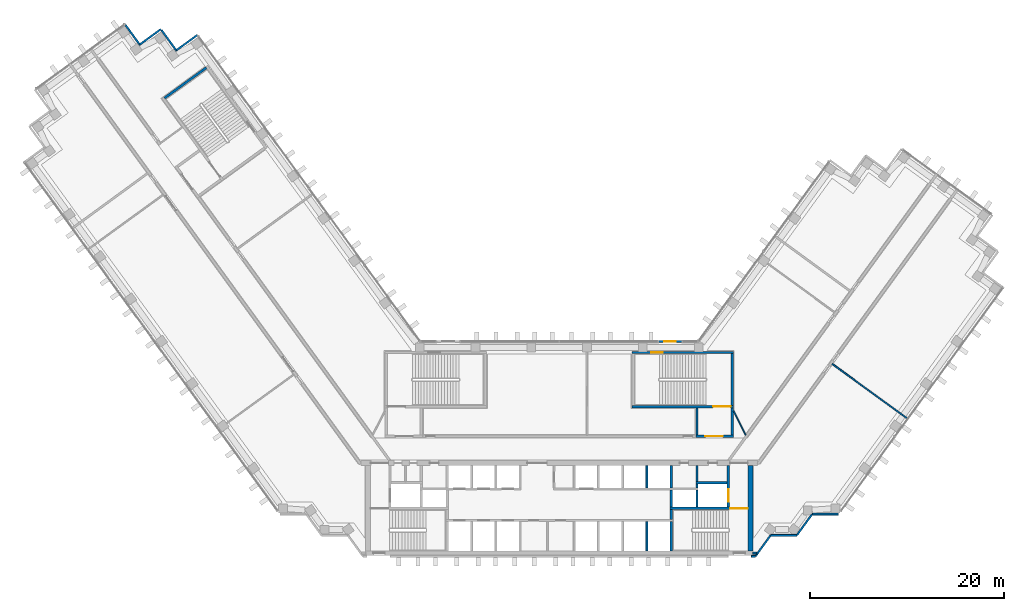
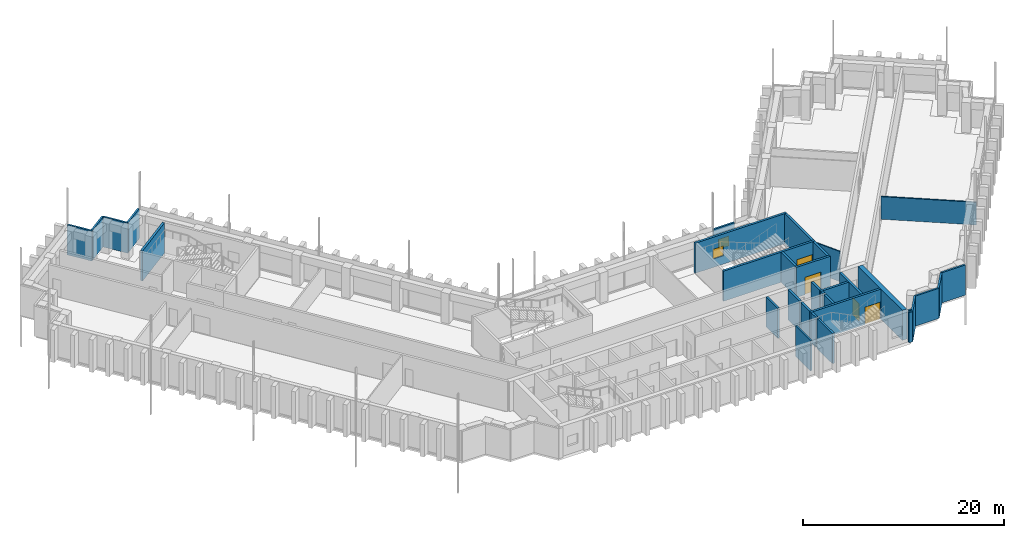
# One storey, part 12 of 16: 33 walls, 4 doors, 2 windows, 6 openings.
"""IFC4 building model written with IfcOpenShell, lengths in metres."""

from ifc_helpers import new_model, si_unit, direction, frame, frame_2d, origin, place, context, subcontext, project, spatial, rectangle, extrude, material, layer, layer_set, type_object, element, fill, save


model = new_model("IFC4")

# Units and contexts
model_context = context("Model", 3, precision=1e-05, world=origin(), true_north=direction((0.0, 1.0)))
body_context = subcontext(model_context, "Body", "Model", "MODEL_VIEW")
ifc_project = project(units=[si_unit("LENGTHUNIT", "METRE"), si_unit("AREAUNIT", "SQUARE_METRE"), si_unit("VOLUMEUNIT", "CUBIC_METRE"), si_unit("PLANEANGLEUNIT", "RADIAN"), si_unit("MASSUNIT", "GRAM", prefix="KILO")], contexts=[model_context])

# Site, building, storey
site_placement = place(None, origin())
site = spatial("IfcSite", under=ifc_project, at=site_placement, CompositionType="ELEMENT")
building_placement = place(site_placement, origin())
building = spatial("IfcBuilding", under=site, at=building_placement, Name="Quipu Civic Tower", CompositionType="ELEMENT")
storey_placement = place(building_placement, frame((0.0, 0.0, 113.0)))
storey = spatial("IfcBuildingStorey", under=building, at=storey_placement, Name="L26", CompositionType="ELEMENT", Elevation=113.0)

# Walls
ifc_material_1 = material(Name="Double gypsum plasterboard with mineral wool")
ifc_layer_1 = layer(ifc_material_1, 0.14990234375)
ifc_layer_set_1 = layer_set([ifc_layer_1], Name="Double gypsum plasterboard with mineral wool")
wall_type_1 = type_object("IfcWallType", Name="Acoustic partition 150 plasterboard", PredefinedType="PARTITIONING", material=ifc_layer_set_1)
wall_1_placement = place(storey_placement, frame((35.908935546875, 3.1826171875, 0.0), z_axis=(0.0, 0.0, 1.0), x_axis=(-0.809045492695, 0.587746025721, 0.0)))
element("IfcWall", 1, at=wall_1_placement, inside=storey, type_object=wall_type_1, Name="Partition P02", PredefinedType="PARTITIONING", context=body_context, shape_type="SweptSolid", body=[
    extrude(rectangle(XDim=9.550537109375, YDim=0.14990234375, at=frame_2d((4.775390625, 0.0))), origin(), (0.0, 0.0, 1.0), 2.75),
])
ifc_material_2 = material(Name="Concrete C70/85", Category="concrete")
ifc_layer_2 = layer(ifc_material_2, 0.25)
ifc_layer_set_2 = layer_set([ifc_layer_2], Name="Concrete C70/85")
wall_type_2 = type_object("IfcWallType", Name="Core wall 250", PredefinedType="SHEAR", material=ifc_layer_set_2)
wall_2_placement = place(storey_placement, frame((11.574951171875, -10.5, 0.0), z_axis=(0.0, 0.0, 1.0), x_axis=(0.0, 1.0, 0.0)))
element("IfcWall", 2, at=wall_2_placement, inside=storey, type_object=wall_type_2, Name="Core wall", PredefinedType="SHEAR", context=body_context, shape_type="SweptSolid", body=[
    extrude(rectangle(XDim=3.0, YDim=0.25, at=frame_2d((1.5, 0.0))), origin(), (0.0, 0.0, 1.0), 3.64990234375),
])
wall_3_placement = place(storey_placement, frame((11.574951171875, -7.25, 0.0), z_axis=(0.0, 0.0, 1.0), x_axis=(0.0, 1.0, 0.0)))
element("IfcWall", 3, at=wall_3_placement, inside=storey, type_object=wall_type_2, Name="Core wall", PredefinedType="SHEAR", context=body_context, shape_type="SweptSolid", body=[
    extrude(rectangle(XDim=1.0, YDim=0.25, at=frame_2d((0.5, 0.0))), origin(), (0.0, 0.0, 1.0), 3.64990234375),
])

# Wall, opening, door
wall_4_placement = place(storey_placement, frame((19.5, -6.125, 0.0), z_axis=(0.0, 0.0, 1.0), x_axis=(-1.0, 0.0, 0.0)))
wall_4 = element("IfcWall", 4, at=wall_4_placement, inside=storey, type_object=wall_type_2, Name="Core wall", PredefinedType="SHEAR", context=body_context, shape_type="SweptSolid", body=[
    extrude(rectangle(XDim=8.050048828125, YDim=0.25, at=frame_2d((4.02490234375, 0.0))), origin(), (0.0, 0.0, 1.0), 3.64990234375),
])
opening_1_placement = place(wall_4_placement, frame((0.050048828125, 0.0, 0.0)))
opening_1 = element("IfcOpeningElement", 5, at=opening_1_placement, cuts=wall_4, Name="Opening CD-04", PredefinedType="OPENING", context=body_context, shape_type="SweptSolid", body=[
    extrude(rectangle(XDim=1.800048828125, YDim=2.10009765625, at=frame_2d((0.89990234375, 1.050048828125))), frame((0.0, 0.135009765625, 0.0), z_axis=(0.0, -1.0, 0.0), x_axis=(1.0, 0.0, 0.0)), (0.0, 0.0, 1.0), 0.27001953125),
])
ifc_material_3 = material(Name="Fire rated steel door", Category="steel")
door_type_1 = type_object("IfcDoorType", Name="Fire door FD90 double 1800 x 2100", OperationType="NOTDEFINED", PredefinedType="DOOR", material=ifc_material_3)
door_1_placement = place(opening_1_placement, origin())
door_1 = element("IfcDoor", 6, at=door_1_placement, inside=storey, type_object=door_type_1, Name="Door", OperationType="DOUBLE_DOOR_SINGLE_SWING", OverallHeight=2.10009765625, OverallWidth=1.800048828125, PredefinedType="DOOR", context=body_context, shape_type="SweptSolid", body=[
    extrude(rectangle(XDim=1.800048828125, YDim=2.10009765625, at=frame_2d((0.89990234375, 1.050048828125))), frame((0.0, 0.02490234375, 0.0), z_axis=(0.0, -1.0, 0.0), x_axis=(1.0, 0.0, 0.0)), (0.0, 0.0, 1.0), 0.050048828125),
])
fill(opening_1, door_1)

# Walls
for number, where, z_axis, x_axis, name in (
    (7, (11.574951171875, -6.0, 0.0), (0.0, 0.0, 1.0), (0.0, 1.0, 0.0), "Core wall"),
    (8, (14.22509765625, -6.0, 0.0), (0.0, 0.0, 1.0), (0.0, 1.0, 0.0), "Core wall"),
):
    element("IfcWall", number, at=place(storey_placement, frame(where, z_axis=z_axis, x_axis=x_axis)), inside=storey, type_object=wall_type_2, Name=name, PredefinedType="SHEAR", context=body_context, shape_type="SweptSolid", body=[
        extrude(rectangle(XDim=1.75, YDim=0.25, at=frame_2d((0.875, 0.0))), origin(), (0.0, 0.0, 1.0), 3.64990234375),
    ])

# Wall, opening, door
wall_5_placement = place(storey_placement, frame((17.47509765625, -6.0, 0.0), z_axis=(0.0, 0.0, 1.0), x_axis=(0.0, 1.0, 0.0)))
wall_5 = element("IfcWall", 9, at=wall_5_placement, inside=storey, type_object=wall_type_2, Name="Core wall", PredefinedType="SHEAR", context=body_context, shape_type="SweptSolid", body=[
    extrude(rectangle(XDim=4.300048828125, YDim=0.25, at=frame_2d((2.14990234375, 0.0))), origin(), (0.0, 0.0, 1.0), 3.64990234375),
])
opening_2_placement = place(wall_5_placement, frame((0.550048828125, 0.0, 0.0)))
opening_2 = element("IfcOpeningElement", 10, at=opening_2_placement, cuts=wall_5, Name="Opening LD-FF2", PredefinedType="OPENING", context=body_context, shape_type="SweptSolid", body=[
    extrude(rectangle(XDim=1.300048828125, YDim=2.10009765625, at=frame_2d((0.64990234375, 1.050048828125))), frame((0.0, 0.135009765625, 0.0), z_axis=(0.0, -1.0, 0.0), x_axis=(1.0, 0.0, 0.0)), (0.0, 0.0, 1.0), 0.27001953125),
])
ifc_material_4 = material(Name="Stainless steel", Category="steel")
door_type_2 = type_object("IfcDoorType", Name="Lift landing door 1300 x 2100", OperationType="DOUBLE_DOOR_SLIDING", PredefinedType="DOOR", material=ifc_material_4)
door_2_placement = place(opening_2_placement, origin())
door_2 = element("IfcDoor", 11, at=door_2_placement, inside=storey, type_object=door_type_2, Name="Landing door FF2", OperationType="DOUBLE_DOOR_SLIDING", OverallHeight=2.10009765625, OverallWidth=1.300048828125, PredefinedType="DOOR", context=body_context, shape_type="SweptSolid", body=[
    extrude(rectangle(XDim=1.300048828125, YDim=2.10009765625, at=frame_2d((0.64990234375, 1.050048828125))), frame((0.0, 0.02490234375, 0.0), z_axis=(0.0, -1.0, 0.0), x_axis=(1.0, 0.0, 0.0)), (0.0, 0.0, 1.0), 0.050048828125),
])
fill(opening_2, door_2)

# Walls
wall_6_placement = place(storey_placement, frame((11.574951171875, -4.0, 0.0), z_axis=(0.0, 0.0, 1.0), x_axis=(0.0, 1.0, 0.0)))
element("IfcWall", 12, at=wall_6_placement, inside=storey, type_object=wall_type_2, Name="Core wall", PredefinedType="SHEAR", context=body_context, shape_type="SweptSolid", body=[
    extrude(rectangle(XDim=2.300048828125, YDim=0.25, at=frame_2d((1.14990234375, 0.0))), origin(), (0.0, 0.0, 1.0), 3.64990234375),
])
wall_7_placement = place(storey_placement, frame((14.22509765625, -4.0, 0.0), z_axis=(0.0, 0.0, 1.0), x_axis=(0.0, 1.0, 0.0)))
element("IfcWall", 13, at=wall_7_placement, inside=storey, type_object=wall_type_2, Name="Core wall", PredefinedType="SHEAR", context=body_context, shape_type="SweptSolid", body=[
    extrude(rectangle(XDim=0.39990234375, YDim=0.25, at=frame_2d((0.199951171875, 0.0))), origin(), (0.0, 0.0, 1.0), 3.64990234375),
])
wall_8_placement = place(storey_placement, frame((14.10009765625, -3.47509765625, 0.0), z_axis=(0.0, 0.0, 1.0), x_axis=(1.0, 0.0, 0.0)))
element("IfcWall", 14, at=wall_8_placement, inside=storey, type_object=wall_type_2, Name="Core wall", PredefinedType="SHEAR", context=body_context, shape_type="SweptSolid", body=[
    extrude(rectangle(XDim=3.25, YDim=0.25, at=frame_2d((1.625, 0.0))), origin(), (0.0, 0.0, 1.0), 3.64990234375),
])
wall_9_placement = place(storey_placement, frame((14.22509765625, -3.35009765625, 0.0), z_axis=(0.0, 0.0, 1.0), x_axis=(0.0, 1.0, 0.0)))
element("IfcWall", 15, at=wall_9_placement, inside=storey, type_object=wall_type_2, Name="Core wall", PredefinedType="SHEAR", context=body_context, shape_type="SweptSolid", body=[
    extrude(rectangle(XDim=1.650146484375, YDim=0.25, at=frame_2d((0.8251953125, 0.0))), origin(), (0.0, 0.0, 1.0), 3.64990234375),
])

# Wall, opening, door
wall_10_placement = place(storey_placement, frame((14.10009765625, 1.324951171875, 0.0), z_axis=(0.0, 0.0, 1.0), x_axis=(1.0, 0.0, 0.0)))
wall_10 = element("IfcWall", 16, at=wall_10_placement, inside=storey, type_object=wall_type_2, Name="Core wall", PredefinedType="SHEAR", context=body_context, shape_type="SweptSolid", body=[
    extrude(rectangle(XDim=3.89990234375, YDim=0.25, at=frame_2d((1.949951171875, 0.0))), origin(), (0.0, 0.0, 1.0), 3.64990234375),
])
opening_3_placement = place(wall_10_placement, frame((1.0, 0.0, 0.0)))
opening_3 = element("IfcOpeningElement", 17, at=opening_3_placement, cuts=wall_10, Name="Opening CD-16", PredefinedType="OPENING", context=body_context, shape_type="SweptSolid", body=[
    extrude(rectangle(XDim=1.800048828125, YDim=2.10009765625, at=frame_2d((0.89990234375, 1.050048828125))), frame((0.0, 0.135009765625, 0.0), z_axis=(0.0, -1.0, 0.0), x_axis=(1.0, 0.0, 0.0)), (0.0, 0.0, 1.0), 0.27001953125),
])
door_3_placement = place(opening_3_placement, origin())
door_3 = element("IfcDoor", 18, at=door_3_placement, inside=storey, type_object=door_type_1, Name="Lobby door", OperationType="DOUBLE_DOOR_SINGLE_SWING", OverallHeight=2.10009765625, OverallWidth=1.800048828125, PredefinedType="DOOR", context=body_context, shape_type="SweptSolid", body=[
    extrude(rectangle(XDim=1.800048828125, YDim=2.10009765625, at=frame_2d((0.89990234375, 1.050048828125))), frame((0.0, 0.02490234375, 0.0), z_axis=(0.0, -1.0, 0.0), x_axis=(1.0, 0.0, 0.0)), (0.0, 0.0, 1.0), 0.050048828125),
])
fill(opening_3, door_3)

# Walls
for number, where, z_axis, x_axis, name in (
    (19, (14.22509765625, 1.449951171875, 0.0), (0.0, 0.0, 1.0), (0.0, 1.0, 0.0), "Core wall"),
    (20, (17.875, 1.449951171875, 0.0), (0.0, 0.0, 1.0), (0.0, 1.0, 0.0), "Core wall"),
):
    element("IfcWall", number, at=place(storey_placement, frame(where, z_axis=z_axis, x_axis=x_axis)), inside=storey, type_object=wall_type_2, Name=name, PredefinedType="SHEAR", context=body_context, shape_type="SweptSolid", body=[
        extrude(rectangle(XDim=2.800048828125, YDim=0.25, at=frame_2d((1.39990234375, 0.0))), origin(), (0.0, 0.0, 1.0), 3.64990234375),
    ])

# Wall, opening, door
wall_11_placement = place(storey_placement, frame((7.5, 4.375, 0.0), z_axis=(0.0, 0.0, 1.0), x_axis=(1.0, 0.0, 0.0)))
wall_11 = element("IfcWall", 21, at=wall_11_placement, inside=storey, type_object=wall_type_2, Name="Core wall", PredefinedType="SHEAR", context=body_context, shape_type="SweptSolid", body=[
    extrude(rectangle(XDim=10.5, YDim=0.25, at=frame_2d((5.25, 0.0))), origin(), (0.0, 0.0, 1.0), 3.64990234375),
])
opening_4_placement = place(wall_11_placement, frame((8.39990234375, 0.0, 0.0)))
opening_4 = element("IfcOpeningElement", 22, at=opening_4_placement, cuts=wall_11, Name="Opening CD-17", PredefinedType="OPENING", context=body_context, shape_type="SweptSolid", body=[
    extrude(rectangle(XDim=1.800048828125, YDim=2.10009765625, at=frame_2d((0.89990234375, 1.050048828125))), frame((0.0, 0.135009765625, 0.0), z_axis=(0.0, -1.0, 0.0), x_axis=(1.0, 0.0, 0.0)), (0.0, 0.0, 1.0), 0.27001953125),
])
door_4_placement = place(opening_4_placement, origin())
door_4 = element("IfcDoor", 23, at=door_4_placement, inside=storey, type_object=door_type_1, Name="Door", OperationType="DOUBLE_DOOR_SINGLE_SWING", OverallHeight=2.10009765625, OverallWidth=1.800048828125, PredefinedType="DOOR", context=body_context, shape_type="SweptSolid", body=[
    extrude(rectangle(XDim=1.800048828125, YDim=2.10009765625, at=frame_2d((0.89990234375, 1.050048828125))), frame((0.0, 0.02490234375, 0.0), z_axis=(0.0, -1.0, 0.0), x_axis=(1.0, 0.0, 0.0)), (0.0, 0.0, 1.0), 0.050048828125),
])
fill(opening_4, door_4)

# Wall
wall_12_placement = place(storey_placement, frame((17.875, 4.5, 0.0), z_axis=(0.0, 0.0, 1.0), x_axis=(0.0, 1.0, 0.0)))
element("IfcWall", 24, at=wall_12_placement, inside=storey, type_object=wall_type_2, Name="Core wall", PredefinedType="SHEAR", context=body_context, shape_type="SweptSolid", body=[
    extrude(rectangle(XDim=5.35009765625, YDim=0.25, at=frame_2d((2.675048828125, 0.0))), origin(), (0.0, 0.0, 1.0), 3.64990234375),
])

# Wall, opening, window
wall_13_placement = place(storey_placement, frame((7.5, 9.97509765625, 0.0), z_axis=(0.0, 0.0, 1.0), x_axis=(1.0, 0.0, 0.0)))
wall_13 = element("IfcWall", 25, at=wall_13_placement, inside=storey, type_object=wall_type_2, Name="Core wall", PredefinedType="SHEAR", context=body_context, shape_type="SweptSolid", body=[
    extrude(rectangle(XDim=10.5, YDim=0.25, at=frame_2d((5.25, 0.0))), origin(), (0.0, 0.0, 1.0), 3.64990234375),
])
opening_5_placement = place(wall_13_placement, frame((2.0, 0.0, 1.0)))
opening_5 = element("IfcOpeningElement", 26, at=opening_5_placement, cuts=wall_13, Name="Opening SV-4", PredefinedType="OPENING", context=body_context, shape_type="SweptSolid", body=[
    extrude(rectangle(XDim=1.199951171875, YDim=1.199951171875, at=frame_2d((0.60009765625, 0.60009765625))), frame((0.0, 0.135009765625, 0.0), z_axis=(0.0, -1.0, 0.0), x_axis=(1.0, 0.0, 0.0)), (0.0, 0.0, 1.0), 0.27001953125),
])
ifc_material_5 = material(Name="Aluminium louvre", Category="aluminium")
window_type_1 = type_object("IfcWindowType", Name="Stair ventilation louvre 1200 x 1200", PartitioningType="SINGLE_PANEL", PredefinedType="WINDOW", material=ifc_material_5)
window_1_placement = place(opening_5_placement, origin())
window_1 = element("IfcWindow", 27, at=window_1_placement, inside=storey, type_object=window_type_1, Name="Stair ventilation opening", OverallHeight=1.199951171875, OverallWidth=1.199951171875, PartitioningType="SINGLE_PANEL", PredefinedType="WINDOW", context=body_context, shape_type="SweptSolid", body=[
    extrude(rectangle(XDim=1.199951171875, YDim=1.199951171875, at=frame_2d((0.60009765625, 0.60009765625))), frame((0.0, 0.030029296875, 0.0), z_axis=(0.0, -1.0, 0.0), x_axis=(1.0, 0.0, 0.0)), (0.0, 0.0, 1.0), 0.06005859375),
])
fill(opening_5, window_1)

# Walls
wall_14_placement = place(storey_placement, frame((-36.43896484375, 39.384033203125, 0.0), z_axis=(0.0, 0.0, 1.0), x_axis=(-0.809020161303, -0.587780893365, 0.0)))
element("IfcWall", 28, at=wall_14_placement, inside=storey, type_object=wall_type_2, Name="Core wall", PredefinedType="SHEAR", context=body_context, shape_type="SweptSolid", body=[
    extrude(rectangle(XDim=5.349853515625, YDim=0.25, at=frame_2d((2.6748046875, 0.0))), origin(), (0.0, 0.0, 1.0), 3.64990234375),
])
ifc_material_6 = material(Name="Concrete C70/85", Category="concrete")
ifc_layer_3 = layer(ifc_material_6, 0.5)
ifc_layer_set_3 = layer_set([ifc_layer_3], Name="Concrete C70/85")
wall_type_3 = type_object("IfcWallType", Name="Core wall 500", PredefinedType="SHEAR", material=ifc_layer_set_3)
wall_15_placement = place(storey_placement, frame((19.75, -10.5, 0.0), z_axis=(0.0, 0.0, 1.0), x_axis=(0.0, 1.0, 0.0)))
element("IfcWall", 29, at=wall_15_placement, inside=storey, type_object=wall_type_3, Name="Core wall", PredefinedType="SHEAR", context=body_context, shape_type="SweptSolid", body=[
    extrude(rectangle(XDim=8.800048828125, YDim=0.5, at=frame_2d((4.39990234375, 0.0))), origin(), (0.0, 0.0, 1.0), 3.64990234375),
])
ifc_material_7 = material(Name="Gypsum plasterboard on light gauge framing")
ifc_layer_4 = layer(ifc_material_7, 0.1201171875)
ifc_layer_set_4 = layer_set([ifc_layer_4], Name="Gypsum plasterboard on light gauge framing")
wall_type_4 = type_object("IfcWallType", Name="Partition 120 plasterboard", PredefinedType="PARTITIONING", material=ifc_layer_set_4)
wall_16_placement = place(storey_placement, frame((18.0, 3.925048828125, 0.0), z_axis=(0.0, 0.0, 1.0), x_axis=(0.453950796792, -0.891026752736, 0.0)))
element("IfcWall", 30, at=wall_16_placement, inside=storey, type_object=wall_type_4, Name="Partition P09", PredefinedType="PARTITIONING", context=body_context, shape_type="SweptSolid", body=[
    extrude(rectangle(XDim=2.77783203125, YDim=0.1201171875, at=frame_2d((1.388916015625, 0.0))), origin(), (0.0, 0.0, 1.0), 3.64990234375),
])
ifc_material_8 = material(Name="Precast concrete C40/50", Category="concrete")
wall_type_5 = type_object("IfcWallType", Name="Precast cladding wall", PredefinedType="SOLIDWALL", material=ifc_material_8)
wall_17_placement = place(storey_placement, frame((-37.352783203125, 42.768310546875, 0.0), z_axis=(0.0, 0.0, 1.0), x_axis=(-0.809033161865, -0.587762999008, 0.0)))
element("IfcWall", 31, at=wall_17_placement, inside=storey, type_object=wall_type_5, Name="Precast cladding wall L26 P05", PredefinedType="SOLIDWALL", context=body_context, shape_type="SweptSolid", body=[
    extrude(rectangle(XDim=2.699951171875, YDim=0.199951171875, at=frame_2d((1.35009765625, 0.0))), origin(), (0.0, 0.0, 1.0), 3.64990234375),
])
wall_18_placement = place(storey_placement, frame((-39.488037109375, 41.093505859375, 0.0), z_axis=(0.0, 0.0, 1.0), x_axis=(-0.587806000234, 0.809001919707, 0.0)))
element("IfcWall", 32, at=wall_18_placement, inside=storey, type_object=wall_type_5, Name="Precast cladding wall L26 P06", PredefinedType="SOLIDWALL", context=body_context, shape_type="SweptSolid", body=[
    extrude(rectangle(XDim=2.69970703125, YDim=0.199951171875, at=frame_2d((1.349853515625, 0.0))), origin(), (0.0, 0.0, 1.0), 3.64990234375),
])
for number, where, z_axis, x_axis, name in (
    (33, (-41.1240234375, 43.36572265625, 0.0), (0.0, 0.0, 1.0), (-0.809033161865, -0.587762999008, 0.0), "Precast cladding wall L26 P07"),
    (34, (-43.25927734375, 41.690673828125, 0.0), (0.0, 0.0, 1.0), (-0.587822180636, 0.808990163075, 0.0), "Precast cladding wall L26 P08"),
):
    element("IfcWall", number, at=place(storey_placement, frame(where, z_axis=z_axis, x_axis=x_axis)), inside=storey, type_object=wall_type_5, Name=name, PredefinedType="SOLIDWALL", context=body_context, shape_type="SweptSolid", body=[
        extrude(rectangle(XDim=2.699951171875, YDim=0.199951171875, at=frame_2d((1.35009765625, 0.0))), origin(), (0.0, 0.0, 1.0), 3.64990234375),
    ])
wall_19_placement = place(storey_placement, frame((19.85009765625, -11.087890625, 0.0), z_axis=(0.0, 0.0, 1.0), x_axis=(1.0, 0.0, 0.0)))
element("IfcWall", 35, at=wall_19_placement, inside=storey, type_object=wall_type_5, Name="Precast cladding wall L26 P22", PredefinedType="SOLIDWALL", context=body_context, shape_type="SweptSolid", body=[
    extrude(rectangle(XDim=0.40576171875, YDim=0.199951171875, at=frame_2d((0.202880859375, 0.0))), origin(), (0.0, 0.0, 1.0), 3.64990234375),
])
wall_20_placement = place(storey_placement, frame((20.253173828125, -11.083251953125, 0.0), z_axis=(0.0, 0.0, 1.0), x_axis=(0.587766567315, 0.809030569476, 0.0)))
element("IfcWall", 36, at=wall_20_placement, inside=storey, type_object=wall_type_5, Name="Precast cladding wall L26 P23", PredefinedType="SOLIDWALL", context=body_context, shape_type="SweptSolid", body=[
    extrude(rectangle(XDim=2.687744140625, YDim=0.199951171875, at=frame_2d((1.34375, 0.0))), origin(), (0.0, 0.0, 1.0), 3.64990234375),
])
wall_21_placement = place(storey_placement, frame((21.8427734375, -8.90380859375, 0.0), z_axis=(0.0, 0.0, 1.0), x_axis=(1.0, 0.0, 0.0)))
element("IfcWall", 37, at=wall_21_placement, inside=storey, type_object=wall_type_5, Name="Precast cladding wall L26 P24", PredefinedType="SOLIDWALL", context=body_context, shape_type="SweptSolid", body=[
    extrude(rectangle(XDim=2.699951171875, YDim=0.199951171875, at=frame_2d((1.35009765625, 0.0))), origin(), (0.0, 0.0, 1.0), 3.64990234375),
])
wall_22_placement = place(storey_placement, frame((24.533203125, -8.90869140625, 0.0), z_axis=(0.0, 0.0, 1.0), x_axis=(0.587720002413, 0.809064397168, 0.0)))
element("IfcWall", 38, at=wall_22_placement, inside=storey, type_object=wall_type_5, Name="Precast cladding wall L26 P25", PredefinedType="SOLIDWALL", context=body_context, shape_type="SweptSolid", body=[
    extrude(rectangle(XDim=2.7001953125, YDim=0.199951171875, at=frame_2d((1.35009765625, 0.0))), origin(), (0.0, 0.0, 1.0), 3.64990234375),
])
wall_23_placement = place(storey_placement, frame((26.1298828125, -6.71923828125, 0.0), z_axis=(0.0, 0.0, 1.0), x_axis=(1.0, 0.0, 0.0)))
element("IfcWall", 39, at=wall_23_placement, inside=storey, type_object=wall_type_5, Name="Precast cladding wall L26 P26", PredefinedType="SOLIDWALL", context=body_context, shape_type="SweptSolid", body=[
    extrude(rectangle(XDim=2.699951171875, YDim=0.199951171875, at=frame_2d((1.35009765625, 0.0))), origin(), (0.0, 0.0, 1.0), 3.64990234375),
])

# Wall, opening, window
wall_24_placement = place(storey_placement, frame((12.655029296875, 11.10009765625, 0.0), z_axis=(0.0, 0.0, 1.0), x_axis=(-1.0, 0.0, 0.0)))
wall_24 = element("IfcWall", 40, at=wall_24_placement, inside=storey, type_object=wall_type_5, Name="Vent surround SF-L25-2", PredefinedType="SOLIDWALL", context=body_context, shape_type="SweptSolid", body=[
    extrude(rectangle(XDim=2.3916015625, YDim=0.199951171875, at=frame_2d((1.19580078125, 0.0))), origin(), (0.0, 0.0, 1.0), 3.64990234375),
])
opening_6_placement = place(wall_24_placement, frame((0.595703125, 0.0, 1.0)))
opening_6 = element("IfcOpeningElement", 41, at=opening_6_placement, cuts=wall_24, Name="Opening SF-L25-2", PredefinedType="OPENING", context=body_context, shape_type="SweptSolid", body=[
    extrude(rectangle(XDim=1.199951171875, YDim=1.199951171875, at=frame_2d((0.60009765625, 0.60009765625))), frame((0.0, 0.10986328125, 0.0), z_axis=(0.0, -1.0, 0.0), x_axis=(1.0, 0.0, 0.0)), (0.0, 0.0, 1.0), 0.219970703125),
])
ifc_material_9 = material(Name="Anodised aluminium louvre", Category="aluminium")
window_type_2 = type_object("IfcWindowType", Name="Stair vent louvre window P3", PartitioningType="SINGLE_PANEL", PredefinedType="WINDOW", material=ifc_material_9)
window_2_placement = place(opening_6_placement, origin())
window_2 = element("IfcWindow", 42, at=window_2_placement, inside=storey, type_object=window_type_2, Name="Stair vent louvre SF-L25-2", OverallHeight=1.199951171875, OverallWidth=1.199951171875, PartitioningType="SINGLE_PANEL", PredefinedType="WINDOW", context=body_context, shape_type="SweptSolid", body=[
    extrude(rectangle(XDim=1.199951171875, YDim=1.199951171875, at=frame_2d((0.60009765625, 0.60009765625))), frame((0.0, 0.030029296875, 0.0), z_axis=(0.0, -1.0, 0.0), x_axis=(1.0, 0.0, 0.0)), (0.0, 0.0, 1.0), 0.06005859375),
])
fill(opening_6, window_2)

# Walls
wall_25_placement = place(storey_placement, frame((19.97998046875, -10.75, 0.0), z_axis=(0.0, 0.0, 1.0), x_axis=(1.0, 0.0, 0.0)))
element("IfcWall", 43, at=wall_25_placement, inside=storey, type_object=wall_type_5, Name="Precast cladding return L26 E", PredefinedType="SOLIDWALL", context=body_context, shape_type="SweptSolid", body=[
    extrude(rectangle(XDim=0.41650390625, YDim=0.199951171875, at=frame_2d((0.208251953125, 0.0))), origin(), (0.0, 0.0, 1.0), 3.64990234375),
])
ifc_material_10 = material(Name="Concrete C40/50", Category="concrete")
ifc_layer_5 = layer(ifc_material_10, 0.199951171875)
ifc_layer_set_5 = layer_set([ifc_layer_5], Name="Concrete C40/50")
wall_type_6 = type_object("IfcWallType", Name="Shaft wall 200", PredefinedType="SOLIDWALL", material=ifc_layer_set_5)
wall_26_placement = place(storey_placement, frame((9.050048828125, -10.5, 0.0), z_axis=(0.0, 0.0, 1.0), x_axis=(0.0, 1.0, 0.0)))
element("IfcWall", 44, at=wall_26_placement, inside=storey, type_object=wall_type_6, Name="Shaft wall", PredefinedType="SOLIDWALL", context=body_context, shape_type="SweptSolid", body=[
    extrude(rectangle(XDim=3.0, YDim=0.199951171875, at=frame_2d((1.5, 0.0))), origin(), (0.0, 0.0, 1.0), 3.64990234375),
])
wall_27_placement = place(storey_placement, frame((9.050048828125, -4.0, 0.0), z_axis=(0.0, 0.0, 1.0), x_axis=(0.0, 1.0, 0.0)))
element("IfcWall", 45, at=wall_27_placement, inside=storey, type_object=wall_type_6, Name="Shaft wall", PredefinedType="SOLIDWALL", context=body_context, shape_type="SweptSolid", body=[
    extrude(rectangle(XDim=2.300048828125, YDim=0.199951171875, at=frame_2d((1.14990234375, 0.0))), origin(), (0.0, 0.0, 1.0), 3.64990234375),
])

save(model, "model.ifc")
